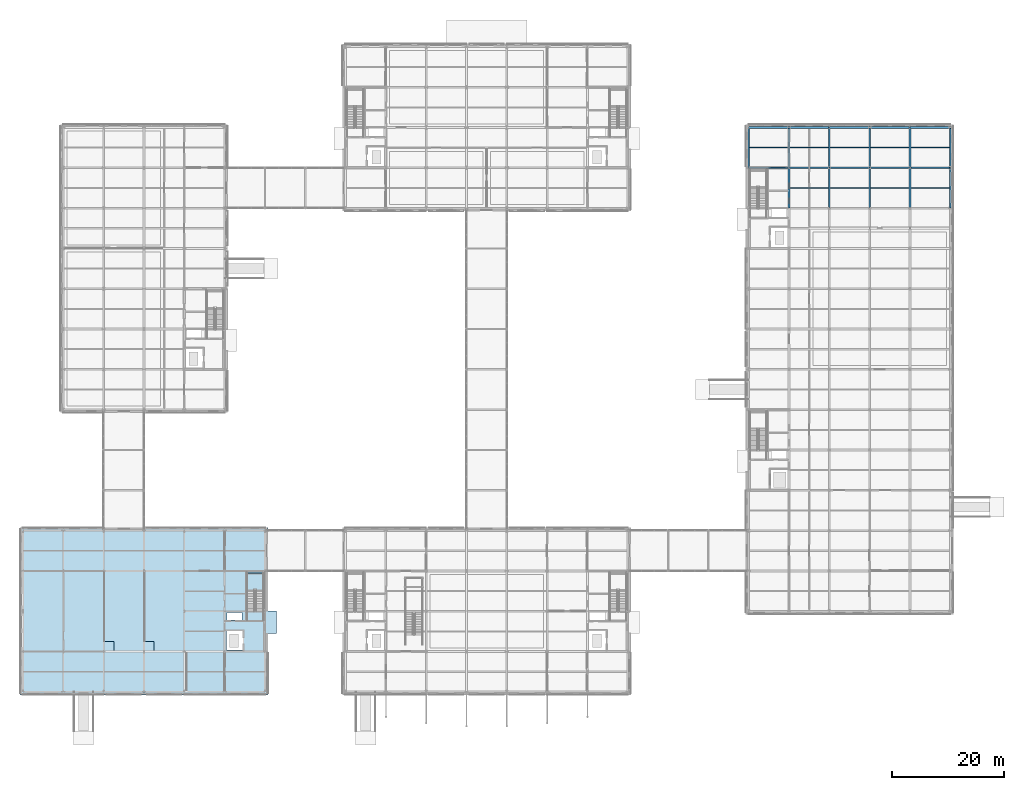
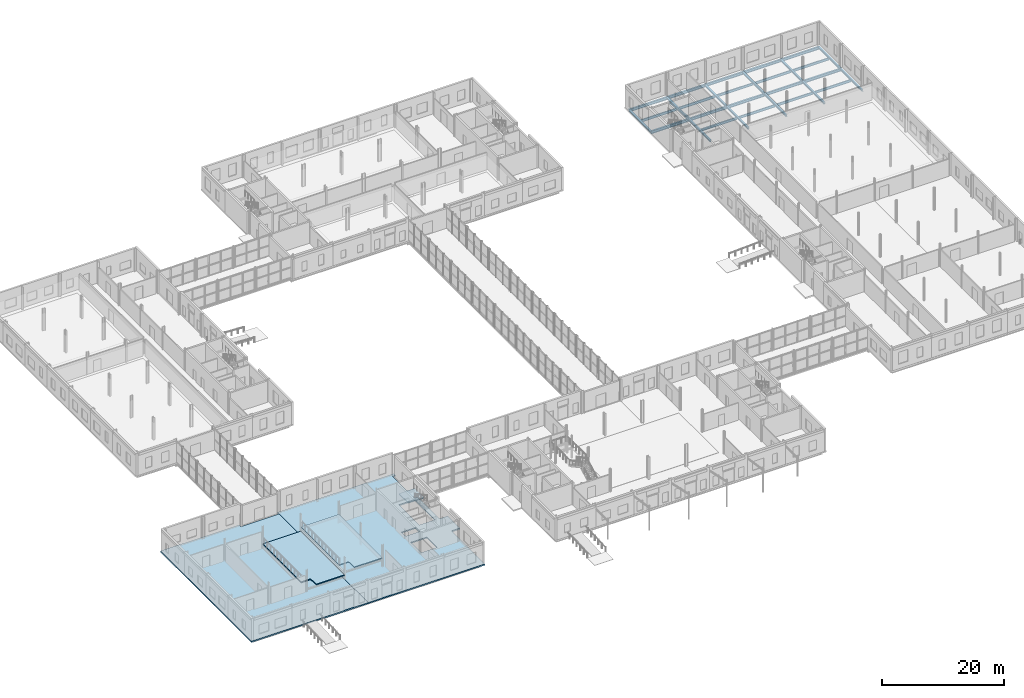
# One storey, part 42 of 92: 30 beams, 5 slabs, 1 member, 1 element without a shape of its own.
"""IFC4 building model written with IfcOpenShell, lengths in metres."""

from ifc_helpers import new_model, si_unit, direction, frame, origin, origin_2d, place, context, subcontext, project, spatial, polyline, hollow_rectangle, i_section, outline, extrude, material, layer, layer_set, material_profile, profile_set, type_object, element, aggregate, save


model = new_model("IFC4")

# Units and contexts
model_context = context("Model", 3, precision=1e-05, world=origin(), true_north=direction((0.0, 1.0)))
body_context = subcontext(model_context, "Body", "Model", "MODEL_VIEW")
ifc_project = project(units=[si_unit("LENGTHUNIT", "METRE"), si_unit("AREAUNIT", "SQUARE_METRE"), si_unit("VOLUMEUNIT", "CUBIC_METRE"), si_unit("PLANEANGLEUNIT", "RADIAN"), si_unit("MASSUNIT", "GRAM", prefix="KILO")], contexts=[model_context])

# Site, building, storey
site_placement = place(None, origin())
site = spatial("IfcSite", under=ifc_project, at=site_placement, CompositionType="ELEMENT")
building_placement = place(site_placement, origin())
building = spatial("IfcBuilding", under=site, at=building_placement, Name="Zlatovets Crest Museum", CompositionType="ELEMENT")
storey_placement = place(building_placement, origin())
storey = spatial("IfcBuildingStorey", under=building, at=storey_placement, Name="L00", CompositionType="ELEMENT", Elevation=0.0)

# Beams
ifc_material_1 = material(Name="Structural steel S355J2", Category="steel")
ifc_material_profile_1 = material_profile(ifc_material_1, i_section(OverallWidth=0.300048828125, OverallDepth=0.35009765625, WebThickness=0.010009765625, FlangeThickness=0.017578125, FilletRadius=0.027099609375, at=origin_2d()), Name="HEA 360")
ifc_profile_set_1 = profile_set([ifc_material_profile_1], Name="Structural steel S355J2")
beam_type_1 = type_object("IfcBeamType", Name="Beam_B-03", PredefinedType="BEAM", material=ifc_profile_set_1)
beam_1_placement = place(storey_placement, frame((129.60009765625, 93.60009765625, -0.455078125), z_axis=(0.0, 1.0, 0.0), x_axis=(-1.0, 0.0, 0.0)))
element("IfcBeam", 1, at=beam_1_placement, inside=storey, type_object=beam_type_1, Name="V5 L00 Grid Beam B-03", PredefinedType="BEAM", context=body_context, shape_type="SweptSolid", body=[
    extrude(i_section(OverallWidth=0.300048828125, OverallDepth=0.35009765625, WebThickness=0.010009765625, FlangeThickness=0.017578125, FilletRadius=0.027099609375, at=origin_2d()), origin(), (0.0, 0.0, 1.0), 7.199951171875),
])
beam_2_placement = place(storey_placement, frame((136.800048828125, 86.39990234375, -0.455078125), z_axis=(0.0, 1.0, 0.0), x_axis=(-1.0, 0.0, 0.0)))
element("IfcBeam", 2, at=beam_2_placement, inside=storey, type_object=beam_type_1, Name="V5 L00 Grid Beam B-03", PredefinedType="BEAM", context=body_context, shape_type="SweptSolid", body=[
    extrude(i_section(OverallWidth=0.300048828125, OverallDepth=0.35009765625, WebThickness=0.010009765625, FlangeThickness=0.017578125, FilletRadius=0.027099609375, at=origin_2d()), origin(), (0.0, 0.0, 1.0), 7.2001953125),
])
beam_3_placement = place(storey_placement, frame((136.800048828125, 93.60009765625, -0.455078125), z_axis=(0.0, 1.0, 0.0), x_axis=(-1.0, 0.0, 0.0)))
element("IfcBeam", 3, at=beam_3_placement, inside=storey, type_object=beam_type_1, Name="V5 L00 Grid Beam B-03", PredefinedType="BEAM", context=body_context, shape_type="SweptSolid", body=[
    extrude(i_section(OverallWidth=0.300048828125, OverallDepth=0.35009765625, WebThickness=0.010009765625, FlangeThickness=0.017578125, FilletRadius=0.027099609375, at=origin_2d()), origin(), (0.0, 0.0, 1.0), 7.199951171875),
])
beam_4_placement = place(storey_placement, frame((144.0, 86.39990234375, -0.455078125), z_axis=(0.0, 1.0, 0.0), x_axis=(-1.0, 0.0, 0.0)))
element("IfcBeam", 4, at=beam_4_placement, inside=storey, type_object=beam_type_1, Name="V5 L00 Grid Beam B-03", PredefinedType="BEAM", context=body_context, shape_type="SweptSolid", body=[
    extrude(i_section(OverallWidth=0.300048828125, OverallDepth=0.35009765625, WebThickness=0.010009765625, FlangeThickness=0.017578125, FilletRadius=0.027099609375, at=origin_2d()), origin(), (0.0, 0.0, 1.0), 7.2001953125),
])
beam_5_placement = place(storey_placement, frame((144.0, 93.60009765625, -0.455078125), z_axis=(0.0, 1.0, 0.0), x_axis=(-1.0, 0.0, 0.0)))
element("IfcBeam", 5, at=beam_5_placement, inside=storey, type_object=beam_type_1, Name="V5 L00 Grid Beam B-03", PredefinedType="BEAM", context=body_context, shape_type="SweptSolid", body=[
    extrude(i_section(OverallWidth=0.300048828125, OverallDepth=0.35009765625, WebThickness=0.010009765625, FlangeThickness=0.017578125, FilletRadius=0.027099609375, at=origin_2d()), origin(), (0.0, 0.0, 1.0), 7.199951171875),
])
beam_6_placement = place(storey_placement, frame((151.199951171875, 86.39990234375, -0.455078125), z_axis=(0.0, 1.0, 0.0), x_axis=(-1.0, 0.0, 0.0)))
element("IfcBeam", 6, at=beam_6_placement, inside=storey, type_object=beam_type_1, Name="V5 L00 Grid Beam B-03", PredefinedType="BEAM", context=body_context, shape_type="SweptSolid", body=[
    extrude(i_section(OverallWidth=0.300048828125, OverallDepth=0.35009765625, WebThickness=0.010009765625, FlangeThickness=0.017578125, FilletRadius=0.027099609375, at=origin_2d()), origin(), (0.0, 0.0, 1.0), 7.2001953125),
])
beam_7_placement = place(storey_placement, frame((151.199951171875, 93.60009765625, -0.455078125), z_axis=(0.0, 1.0, 0.0), x_axis=(-1.0, 0.0, 0.0)))
element("IfcBeam", 7, at=beam_7_placement, inside=storey, type_object=beam_type_1, Name="V5 L00 Grid Beam B-03", PredefinedType="BEAM", context=body_context, shape_type="SweptSolid", body=[
    extrude(i_section(OverallWidth=0.300048828125, OverallDepth=0.35009765625, WebThickness=0.010009765625, FlangeThickness=0.017578125, FilletRadius=0.027099609375, at=origin_2d()), origin(), (0.0, 0.0, 1.0), 7.199951171875),
])
beam_8_placement = place(storey_placement, frame((158.39990234375, 86.39990234375, -0.455078125), z_axis=(0.0, 1.0, 0.0), x_axis=(-1.0, 0.0, 0.0)))
element("IfcBeam", 8, at=beam_8_placement, inside=storey, type_object=beam_type_1, Name="V5 L00 Grid Beam B-03", PredefinedType="BEAM", context=body_context, shape_type="SweptSolid", body=[
    extrude(i_section(OverallWidth=0.300048828125, OverallDepth=0.35009765625, WebThickness=0.010009765625, FlangeThickness=0.017578125, FilletRadius=0.027099609375, at=origin_2d()), origin(), (0.0, 0.0, 1.0), 7.2001953125),
])
beam_9_placement = place(storey_placement, frame((158.39990234375, 93.60009765625, -0.455078125), z_axis=(0.0, 1.0, 0.0), x_axis=(-1.0, 0.0, 0.0)))
element("IfcBeam", 9, at=beam_9_placement, inside=storey, type_object=beam_type_1, Name="V5 L00 Grid Beam B-03", PredefinedType="BEAM", context=body_context, shape_type="SweptSolid", body=[
    extrude(i_section(OverallWidth=0.300048828125, OverallDepth=0.35009765625, WebThickness=0.010009765625, FlangeThickness=0.017578125, FilletRadius=0.027099609375, at=origin_2d()), origin(), (0.0, 0.0, 1.0), 7.199951171875),
])
beam_10_placement = place(storey_placement, frame((165.60009765625, 86.39990234375, -0.455078125), z_axis=(0.0, 1.0, 0.0), x_axis=(-1.0, 0.0, 0.0)))
element("IfcBeam", 10, at=beam_10_placement, inside=storey, type_object=beam_type_1, Name="V5 L00 Grid Beam B-03", PredefinedType="BEAM", context=body_context, shape_type="SweptSolid", body=[
    extrude(i_section(OverallWidth=0.300048828125, OverallDepth=0.35009765625, WebThickness=0.010009765625, FlangeThickness=0.017578125, FilletRadius=0.027099609375, at=origin_2d()), origin(), (0.0, 0.0, 1.0), 7.2001953125),
])
beam_11_placement = place(storey_placement, frame((165.60009765625, 93.60009765625, -0.455078125), z_axis=(0.0, 1.0, 0.0), x_axis=(-1.0, 0.0, 0.0)))
element("IfcBeam", 11, at=beam_11_placement, inside=storey, type_object=beam_type_1, Name="V5 L00 Grid Beam B-03", PredefinedType="BEAM", context=body_context, shape_type="SweptSolid", body=[
    extrude(i_section(OverallWidth=0.300048828125, OverallDepth=0.35009765625, WebThickness=0.010009765625, FlangeThickness=0.017578125, FilletRadius=0.027099609375, at=origin_2d()), origin(), (0.0, 0.0, 1.0), 7.199951171875),
])
ifc_material_profile_2 = material_profile(ifc_material_1, i_section(OverallWidth=0.300048828125, OverallDepth=0.5400390625, WebThickness=0.012451171875, FlangeThickness=0.02392578125, FilletRadius=0.027099609375, at=origin_2d()), Name="HEA 550")
ifc_profile_set_2 = profile_set([ifc_material_profile_2], Name="Structural steel S355J2")
beam_type_2 = type_object("IfcBeamType", Name="Beam_B-09", PredefinedType="BEAM", material=ifc_profile_set_2)
for number, where, z_axis, x_axis, name in (
    (12, (129.60009765625, 93.60009765625, -0.550048828125), (1.0, 0.0, 0.0), (0.0, 1.0, 0.0), "V5 L00 Primary Girder B-09"),
    (13, (136.800048828125, 93.60009765625, -0.550048828125), (1.0, 0.0, 0.0), (0.0, 1.0, 0.0), "V5 L00 Primary Girder B-09"),
    (14, (144.0, 93.60009765625, -0.550048828125), (1.0, 0.0, 0.0), (0.0, 1.0, 0.0), "V5 L00 Primary Girder B-09"),
    (15, (151.199951171875, 93.60009765625, -0.550048828125), (1.0, 0.0, 0.0), (0.0, 1.0, 0.0), "V5 L00 Primary Girder B-09"),
):
    element("IfcBeam", number, at=place(storey_placement, frame(where, z_axis=z_axis, x_axis=x_axis)), inside=storey, type_object=beam_type_2, Name=name, PredefinedType="BEAM", context=body_context, shape_type="SweptSolid", body=[
        extrude(i_section(OverallWidth=0.300048828125, OverallDepth=0.5400390625, WebThickness=0.012451171875, FlangeThickness=0.02392578125, FilletRadius=0.027099609375, at=origin_2d()), origin(), (0.0, 0.0, 1.0), 7.199951171875),
    ])
beam_12_placement = place(storey_placement, frame((158.39990234375, 93.60009765625, -0.550048828125), z_axis=(1.0, 0.0, 0.0), x_axis=(0.0, 1.0, 0.0)))
element("IfcBeam", 16, at=beam_12_placement, inside=storey, type_object=beam_type_2, Name="V5 L00 Primary Girder B-09", PredefinedType="BEAM", context=body_context, shape_type="SweptSolid", body=[
    extrude(i_section(OverallWidth=0.300048828125, OverallDepth=0.5400390625, WebThickness=0.012451171875, FlangeThickness=0.02392578125, FilletRadius=0.027099609375, at=origin_2d()), origin(), (0.0, 0.0, 1.0), 7.2001953125),
])
for number, where, z_axis, x_axis, name in (
    (17, (129.60009765625, 100.800048828125, -0.550048828125), (1.0, 0.0, 0.0), (0.0, 1.0, 0.0), "V5 L00 Primary Girder B-09"),
    (18, (136.800048828125, 100.800048828125, -0.550048828125), (1.0, 0.0, 0.0), (0.0, 1.0, 0.0), "V5 L00 Primary Girder B-09"),
    (19, (144.0, 100.800048828125, -0.550048828125), (1.0, 0.0, 0.0), (0.0, 1.0, 0.0), "V5 L00 Primary Girder B-09"),
    (20, (151.199951171875, 100.800048828125, -0.550048828125), (1.0, 0.0, 0.0), (0.0, 1.0, 0.0), "V5 L00 Primary Girder B-09"),
):
    element("IfcBeam", number, at=place(storey_placement, frame(where, z_axis=z_axis, x_axis=x_axis)), inside=storey, type_object=beam_type_2, Name=name, PredefinedType="BEAM", context=body_context, shape_type="SweptSolid", body=[
        extrude(i_section(OverallWidth=0.300048828125, OverallDepth=0.5400390625, WebThickness=0.012451171875, FlangeThickness=0.02392578125, FilletRadius=0.027099609375, at=origin_2d()), origin(), (0.0, 0.0, 1.0), 7.199951171875),
    ])
beam_13_placement = place(storey_placement, frame((158.39990234375, 100.800048828125, -0.550048828125), z_axis=(1.0, 0.0, 0.0), x_axis=(0.0, 1.0, 0.0)))
element("IfcBeam", 21, at=beam_13_placement, inside=storey, type_object=beam_type_2, Name="V5 L00 Primary Girder B-09", PredefinedType="BEAM", context=body_context, shape_type="SweptSolid", body=[
    extrude(i_section(OverallWidth=0.300048828125, OverallDepth=0.5400390625, WebThickness=0.012451171875, FlangeThickness=0.02392578125, FilletRadius=0.027099609375, at=origin_2d()), origin(), (0.0, 0.0, 1.0), 7.2001953125),
])
ifc_material_profile_3 = material_profile(ifc_material_1, i_section(OverallWidth=0.199951171875, OverallDepth=0.5, WebThickness=0.01025390625, FlangeThickness=0.01611328125, FilletRadius=0.02099609375, at=origin_2d()), Name="IPE 500")
ifc_profile_set_3 = profile_set([ifc_material_profile_3], Name="Structural steel S355J2")
beam_type_3 = type_object("IfcBeamType", Name="Beam_J-06", PredefinedType="JOIST", material=ifc_profile_set_3)
beam_14_placement = place(storey_placement, frame((129.75, 97.199951171875, -0.530029296875), z_axis=(1.0, 0.0, 0.0), x_axis=(0.0, 1.0, 0.0)))
element("IfcBeam", 22, at=beam_14_placement, inside=storey, type_object=beam_type_3, Name="V5 L00 Composite Joist J-06", PredefinedType="JOIST", context=body_context, shape_type="SweptSolid", body=[
    extrude(i_section(OverallWidth=0.199951171875, OverallDepth=0.5, WebThickness=0.01025390625, FlangeThickness=0.01611328125, FilletRadius=0.02099609375, at=origin_2d()), origin(), (0.0, 0.0, 1.0), 6.89990234375),
])
for number, where, z_axis, x_axis, name in (
    (23, (136.949951171875, 90.0, -0.530029296875), (1.0, 0.0, 0.0), (0.0, 1.0, 0.0), "V5 L00 Composite Joist J-06"),
    (24, (136.949951171875, 97.199951171875, -0.530029296875), (1.0, 0.0, 0.0), (0.0, 1.0, 0.0), "V5 L00 Composite Joist J-06"),
    (25, (144.14990234375, 90.0, -0.530029296875), (1.0, 0.0, 0.0), (0.0, 1.0, 0.0), "V5 L00 Composite Joist J-06"),
    (26, (144.14990234375, 97.199951171875, -0.530029296875), (1.0, 0.0, 0.0), (0.0, 1.0, 0.0), "V5 L00 Composite Joist J-06"),
):
    element("IfcBeam", number, at=place(storey_placement, frame(where, z_axis=z_axis, x_axis=x_axis)), inside=storey, type_object=beam_type_3, Name=name, PredefinedType="JOIST", context=body_context, shape_type="SweptSolid", body=[
        extrude(i_section(OverallWidth=0.199951171875, OverallDepth=0.5, WebThickness=0.01025390625, FlangeThickness=0.01611328125, FilletRadius=0.02099609375, at=origin_2d()), origin(), (0.0, 0.0, 1.0), 6.900146484375),
    ])
for number, where, z_axis, x_axis, name in (
    (27, (151.35009765625, 90.0, -0.530029296875), (1.0, 0.0, 0.0), (0.0, 1.0, 0.0), "V5 L00 Composite Joist J-06"),
    (28, (151.35009765625, 97.199951171875, -0.530029296875), (1.0, 0.0, 0.0), (0.0, 1.0, 0.0), "V5 L00 Composite Joist J-06"),
    (29, (158.550048828125, 90.0, -0.530029296875), (1.0, 0.0, 0.0), (0.0, 1.0, 0.0), "V5 L00 Composite Joist J-06"),
    (30, (158.550048828125, 97.199951171875, -0.530029296875), (1.0, 0.0, 0.0), (0.0, 1.0, 0.0), "V5 L00 Composite Joist J-06"),
):
    element("IfcBeam", number, at=place(storey_placement, frame(where, z_axis=z_axis, x_axis=x_axis)), inside=storey, type_object=beam_type_3, Name=name, PredefinedType="JOIST", context=body_context, shape_type="SweptSolid", body=[
        extrude(i_section(OverallWidth=0.199951171875, OverallDepth=0.5, WebThickness=0.01025390625, FlangeThickness=0.01611328125, FilletRadius=0.02099609375, at=origin_2d()), origin(), (0.0, 0.0, 1.0), 6.89990234375),
    ])

# Member
ifc_material_profile_4 = material_profile(ifc_material_1, hollow_rectangle(XDim=0.219970703125, YDim=0.219970703125, WallThickness=0.012451171875, InnerFilletRadius=0.012451171875, OuterFilletRadius=0.02490234375, at=origin_2d()), Name="SHS 220x220x12.5")
ifc_profile_set_4 = profile_set([ifc_material_profile_4], Name="Structural steel S355J2")
member_type = type_object("IfcMemberType", Name="Member_BR-07", PredefinedType="BRACE", material=ifc_profile_set_4)
member_placement = place(storey_placement, frame((136.800048828125, 93.60009765625, 0.0), z_axis=(-0.664369431748, 0.0, 0.747404347163), x_axis=(0.0, -1.0, 0.0)))
element("IfcMember", 31, at=member_placement, inside=storey, type_object=member_type, Name="V5 L00 Concentric Seismic Brace", PredefinedType="BRACE", context=body_context, shape_type="SweptSolid", body=[
    extrude(hollow_rectangle(XDim=0.219970703125, YDim=0.219970703125, WallThickness=0.012451171875, InnerFilletRadius=0.012451171875, OuterFilletRadius=0.02490234375, at=origin_2d()), origin(), (0.0, 0.0, 1.0), 5.418701171875),
])

# Slabs
ifc_material_2 = material(Name="Concrete C30/37", Category="concrete")
ifc_layer_1 = layer(ifc_material_2, 0.25)
ifc_layer_set_1 = layer_set([ifc_layer_1], Name="Concrete C30/37")
slab_type_1 = type_object("IfcSlabType", Name="Slab_FS-01", PredefinedType="FLOOR", material=ifc_layer_set_1)
slab_1_placement = place(storey_placement, frame((0.0, 0.0, -0.25)))
element("IfcSlab", 32, at=slab_1_placement, inside=storey, type_object=slab_type_1, Name="V3 L00 Structural Slab Panel 1", PredefinedType="FLOOR", context=body_context, shape_type="SweptSolid", body=[
    extrude(outline(polyline([(21.60009765625, -0.5400390625), (-0.5400390625, -0.5400390625), (-0.5400390625, 29.340087890625), (14.3798828125, 29.340087890625), (14.3798828125, 28.780029296875), (21.60009765625, 28.780029296875), (21.60009765625, -0.5400390625)])), origin(), (0.0, 0.0, 1.0), 0.25),
])
slab_2_placement = place(storey_placement, frame((0.0, 0.0, -0.25)))
element("IfcSlab", 33, at=slab_2_placement, inside=storey, type_object=slab_type_1, Name="V3 L00 Structural Slab Panel 2", PredefinedType="FLOOR", context=body_context, shape_type="SweptSolid", body=[
    extrude(outline(polyline([(43.739990234375, 28.820068359375), (43.179931640625, 28.820068359375), (43.179931640625, 21.580078125), (43.739990234375, 21.580078125), (43.739990234375, 14.39990234375), (45.300048828125, 14.39990234375), (45.300048828125, 10.39990234375), (43.739990234375, 10.39990234375), (43.739990234375, -0.5400390625), (21.60009765625, -0.5400390625), (21.60009765625, 28.780029296875), (21.6201171875, 28.780029296875), (21.6201171875, 29.340087890625), (43.739990234375, 29.340087890625), (43.739990234375, 28.820068359375)]), holes=[polyline([(40.0, 14.5400390625), (43.0, 14.5400390625), (43.0, 21.199951171875), (40.0, 21.199951171875), (40.0, 14.5400390625)]), polyline([(36.300048828125, 10.89990234375), (36.300048828125, 7.5), (39.35009765625, 7.5), (39.35009765625, 10.89990234375), (36.300048828125, 10.89990234375)]), polyline([(39.10009765625, 14.199951171875), (36.449951171875, 14.199951171875), (36.449951171875, 12.85009765625), (39.10009765625, 12.85009765625), (39.10009765625, 14.199951171875)])]), origin(), (0.0, 0.0, 1.0), 0.25),
])
ifc_layer_2 = layer(ifc_material_2, 0.199951171875)
ifc_layer_set_2 = layer_set([ifc_layer_2], Name="Concrete C30/37")
slab_type_2 = type_object("IfcSlabType", Name="Slab_FS-05", PredefinedType="FLOOR", material=ifc_layer_set_2)
slab_3_placement = place(storey_placement, frame((0.0, 0.0, 0.699951171875)))
element("IfcSlab", 34, at=slab_3_placement, inside=storey, type_object=slab_type_2, Name="Auditorium Raked Seating Tier 1", PredefinedType="FLOOR", context=body_context, shape_type="SweptSolid", body=[
    extrude(outline(polyline([(14.39990234375, 21.60009765625), (21.60009765625, 21.60009765625), (21.60009765625, 7.199951171875), (16.199951171875, 7.199951171875), (16.199951171875, 9.0), (14.39990234375, 9.0), (14.39990234375, 21.60009765625)])), origin(), (0.0, 0.0, 1.0), 0.199951171875),
])
slab_4_placement = place(storey_placement, frame((0.0, 0.0, 1.60009765625)))
element("IfcSlab", 35, at=slab_4_placement, inside=storey, type_object=slab_type_2, Name="Auditorium Raked Seating Tier 2", PredefinedType="FLOOR", context=body_context, shape_type="SweptSolid", body=[
    extrude(outline(polyline([(21.60009765625, 21.60009765625), (28.800048828125, 21.60009765625), (28.800048828125, 7.199951171875), (23.39990234375, 7.199951171875), (23.39990234375, 9.0), (21.60009765625, 9.0), (21.60009765625, 21.60009765625)])), origin(), (0.0, 0.0, 1.0), 0.199951171875),
])

# Stair, slab
ifc_material_3 = material(Name="Concrete C35/45", Category="concrete")
stair_type = type_object("IfcStairType", Name="Stair_ST3-28R", PredefinedType="HALF_TURN_STAIR", material=ifc_material_3)
stair_placement = place(storey_placement, origin())
stair = element("IfcStair", 36, at=stair_placement, inside=storey, type_object=stair_type, Name="L00 Core C3 Escape Stair ST3", PredefinedType="HALF_TURN_STAIR")
ifc_layer_3 = layer(ifc_material_3, 0.199951171875)
ifc_layer_set_3 = layer_set([ifc_layer_3], Name="Concrete C35/45")
slab_type_3 = type_object("IfcSlabType", Name="StairLanding_SLD1", PredefinedType="LANDING", material=ifc_layer_set_3)
slab_5_placement = place(storey_placement, frame((0.0, 0.0, 2.050048828125)))
slab_5 = element("IfcSlab", 37, at=slab_5_placement, type_object=slab_type_3, Name="ST3 landing 1", PredefinedType="LANDING", context=body_context, shape_type="SweptSolid", body=[
    extrude(outline(polyline([(43.0, 18.199951171875), (43.0, 21.199951171875), (40.0, 21.199951171875), (40.0, 18.199951171875), (43.0, 18.199951171875)])), origin(), (0.0, 0.0, 1.0), 0.199951171875),
])
aggregate(stair, [slab_5])

save(model, "model.ifc")
